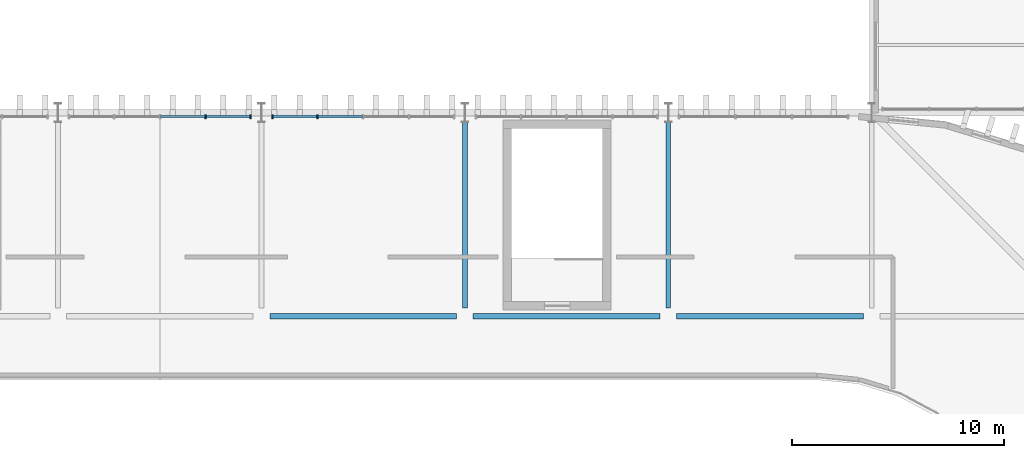
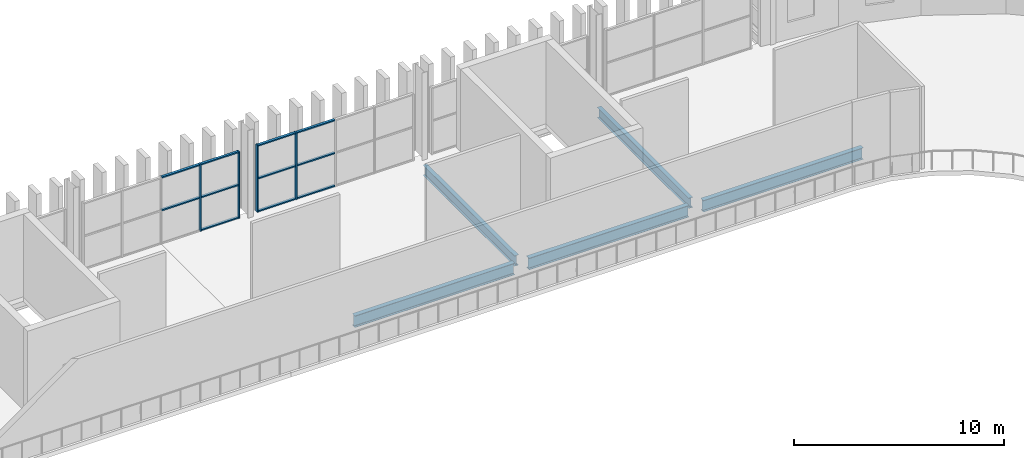
# One storey, part 20 of 45: 15 members, 5 beams, 2 elements without a shape of their own.
"""IFC4 building model written with IfcOpenShell, lengths in metres."""

from ifc_helpers import new_model, si_unit, direction, frame, origin, origin_2d, place, context, subcontext, project, spatial, rectangle, i_section, extrude, material, layer, layer_set, material_profile, profile_set, type_object, element, aggregate, save


model = new_model("IFC4")

# Units and contexts
model_context = context("Model", 3, precision=1e-05, world=origin(), true_north=direction((0.0, 1.0)))
body_context = subcontext(model_context, "Body", "Model", "MODEL_VIEW")
ifc_project = project(units=[si_unit("LENGTHUNIT", "METRE"), si_unit("AREAUNIT", "SQUARE_METRE"), si_unit("VOLUMEUNIT", "CUBIC_METRE"), si_unit("PLANEANGLEUNIT", "RADIAN"), si_unit("MASSUNIT", "GRAM", prefix="KILO")], contexts=[model_context])

# Site, building, storey
site_placement = place(None, origin())
site = spatial("IfcSite", under=ifc_project, at=site_placement, CompositionType="ELEMENT")
building_placement = place(site_placement, origin())
building = spatial("IfcBuilding", under=site, at=building_placement, Name="Caelomonte Colonnade Arena", CompositionType="ELEMENT")
storey_placement = place(building_placement, frame((0.0, 0.0, 23.10009765625)))
storey = spatial("IfcBuildingStorey", under=building, at=storey_placement, Name="L05", CompositionType="ELEMENT", Elevation=23.10009765625)

# Curtain wall, members
ifc_material_1 = material(Name="Bronze anodised aluminium and low-E glazing", Category="aluminium")
ifc_layer = layer(ifc_material_1, 0.179931640625)
ifc_layer_set = layer_set([ifc_layer], Name="Bronze anodised aluminium and low-E glazing")
curtain_wall_type = type_object("IfcCurtainWallType", Name="ENV-CW-CW-L05-96-39", PredefinedType="USERDEFINED", material=ifc_layer_set)
curtain_wall_1_placement = place(storey_placement, origin())
curtain_wall_1 = element("IfcCurtainWall", 1, at=curtain_wall_1_placement, inside=storey, type_object=curtain_wall_type, Name="L05 unitized curtain wall CW-L05-1200-1150", ObjectType="UNITIZED CURTAIN WALL", PredefinedType="USERDEFINED")
ifc_material_2 = material(Name="Bronze anodised aluminium AA6063-T6", Category="aluminium")
ifc_material_profile_1 = material_profile(ifc_material_2, rectangle(XDim=0.070068359375, YDim=0.179931640625, at=origin_2d()), Name="CWM-70X180")
ifc_profile_set_1 = profile_set([ifc_material_profile_1], Name="Bronze anodised aluminium AA6063-T6")
member_type_1 = type_object("IfcMemberType", Name="ENV-CW-MULL1", PredefinedType="MULLION", material=ifc_profile_set_1)
member_1_placement = place(storey_placement, frame((117.838623046875, 115.02001953125, 0.0), z_axis=(0.0, 0.0, 1.0), x_axis=(-1.0, 0.0, 0.0)))
member_1 = element("IfcMember", 2, at=member_1_placement, type_object=member_type_1, Name="CW-L05-96-39 mullion 4", PredefinedType="MULLION", context=body_context, shape_type="SweptSolid", body=[
    extrude(rectangle(XDim=0.070068359375, YDim=0.179931640625, at=origin_2d()), origin(), (0.0, 0.0, 1.0), 3.892822265625),
])
member_2_placement = place(storey_placement, frame((115.712158203125, 115.02001953125, 0.0), z_axis=(0.0, 0.0, 1.0), x_axis=(-1.0, 0.0, 0.0)))
member_2 = element("IfcMember", 3, at=member_2_placement, type_object=member_type_1, Name="CW-L05-96-39 mullion 5", PredefinedType="MULLION", context=body_context, shape_type="SweptSolid", body=[
    extrude(rectangle(XDim=0.070068359375, YDim=0.179931640625, at=origin_2d()), origin(), (0.0, 0.0, 1.0), 3.892822265625),
])

curtain_wall_2_placement = place(storey_placement, origin())
curtain_wall_2 = element("IfcCurtainWall", 4, at=curtain_wall_2_placement, inside=storey, type_object=curtain_wall_type, Name="L05 unitized curtain wall CW-L05-1104-1150", ObjectType="UNITIZED CURTAIN WALL", PredefinedType="USERDEFINED")
member_3_placement = place(storey_placement, frame((114.687744140625, 115.02001953125, 0.0), z_axis=(0.0, 0.0, 1.0), x_axis=(-1.0, 0.0, 0.0)))
member_3 = element("IfcMember", 5, at=member_3_placement, type_object=member_type_1, Name="CW-L05-96-39 mullion 1", PredefinedType="MULLION", context=body_context, shape_type="SweptSolid", body=[
    extrude(rectangle(XDim=0.070068359375, YDim=0.179931640625, at=origin_2d()), origin(), (0.0, 0.0, 1.0), 3.892822265625),
])
member_4_placement = place(storey_placement, frame((112.561279296875, 115.02001953125, 0.0), z_axis=(0.0, 0.0, 1.0), x_axis=(-1.0, 0.0, 0.0)))
member_4 = element("IfcMember", 6, at=member_4_placement, type_object=member_type_1, Name="CW-L05-96-39 mullion 2", PredefinedType="MULLION", context=body_context, shape_type="SweptSolid", body=[
    extrude(rectangle(XDim=0.070068359375, YDim=0.179931640625, at=origin_2d()), origin(), (0.0, 0.0, 1.0), 3.892822265625),
])

# Member
ifc_material_profile_2 = material_profile(ifc_material_2, rectangle(XDim=0.070068359375, YDim=0.139892578125, at=origin_2d()), Name="CWT-70X140")
ifc_profile_set_2 = profile_set([ifc_material_profile_2], Name="Bronze anodised aluminium AA6063-T6")
member_type_2 = type_object("IfcMemberType", Name="ENV-CW-TRAN1", PredefinedType="USERDEFINED", material=ifc_profile_set_2)
member_5_placement = place(storey_placement, frame((119.965087890625, 115.02001953125, 0.034912109375), z_axis=(-1.0, 0.0, 0.0), x_axis=(0.0, 0.0, 1.0)))
member_5 = element("IfcMember", 7, at=member_5_placement, type_object=member_type_2, Name="CW-L05-96-39 transom 3.1", ObjectType="TRANSOM", PredefinedType="USERDEFINED", context=body_context, shape_type="SweptSolid", body=[
    extrude(rectangle(XDim=0.070068359375, YDim=0.139892578125, at=origin_2d()), origin(), (0.0, 0.0, 1.0), 2.091552734375),
])

member_6_placement = place(storey_placement, frame((119.965087890625, 115.02001953125, 1.9462890625), z_axis=(-1.0, 0.0, 0.0), x_axis=(0.0, 0.0, 1.0)))
member_6 = element("IfcMember", 8, at=member_6_placement, type_object=member_type_2, Name="CW-L05-96-39 transom 3.2", ObjectType="TRANSOM", PredefinedType="USERDEFINED", context=body_context, shape_type="SweptSolid", body=[
    extrude(rectangle(XDim=0.070068359375, YDim=0.139892578125, at=origin_2d()), origin(), (0.0, 0.0, 1.0), 2.091552734375),
])

member_7_placement = place(storey_placement, frame((119.965087890625, 115.02001953125, 3.85791015625), z_axis=(-1.0, 0.0, 0.0), x_axis=(0.0, 0.0, 1.0)))
member_7 = element("IfcMember", 9, at=member_7_placement, type_object=member_type_2, Name="CW-L05-96-39 transom 3.3", ObjectType="TRANSOM", PredefinedType="USERDEFINED", context=body_context, shape_type="SweptSolid", body=[
    extrude(rectangle(XDim=0.070068359375, YDim=0.139892578125, at=origin_2d()), origin(), (0.0, 0.0, 1.0), 2.091552734375),
])

member_8_placement = place(storey_placement, frame((117.8037109375, 115.02001953125, 0.034912109375), z_axis=(-1.0, 0.0, 0.0), x_axis=(0.0, 0.0, 1.0)))
member_8 = element("IfcMember", 10, at=member_8_placement, type_object=member_type_2, Name="CW-L05-96-39 transom 4.1", ObjectType="TRANSOM", PredefinedType="USERDEFINED", context=body_context, shape_type="SweptSolid", body=[
    extrude(rectangle(XDim=0.070068359375, YDim=0.139892578125, at=origin_2d()), origin(), (0.0, 0.0, 1.0), 2.056396484375),
])

member_9_placement = place(storey_placement, frame((117.8037109375, 115.02001953125, 1.9462890625), z_axis=(-1.0, 0.0, 0.0), x_axis=(0.0, 0.0, 1.0)))
member_9 = element("IfcMember", 11, at=member_9_placement, type_object=member_type_2, Name="CW-L05-96-39 transom 4.2", ObjectType="TRANSOM", PredefinedType="USERDEFINED", context=body_context, shape_type="SweptSolid", body=[
    extrude(rectangle(XDim=0.070068359375, YDim=0.139892578125, at=origin_2d()), origin(), (0.0, 0.0, 1.0), 2.056396484375),
])

member_10_placement = place(storey_placement, frame((117.8037109375, 115.02001953125, 3.85791015625), z_axis=(-1.0, 0.0, 0.0), x_axis=(0.0, 0.0, 1.0)))
member_10 = element("IfcMember", 12, at=member_10_placement, type_object=member_type_2, Name="CW-L05-96-39 transom 4.3", ObjectType="TRANSOM", PredefinedType="USERDEFINED", context=body_context, shape_type="SweptSolid", body=[
    extrude(rectangle(XDim=0.070068359375, YDim=0.139892578125, at=origin_2d()), origin(), (0.0, 0.0, 1.0), 2.056396484375),
])

aggregate(curtain_wall_1, [member_1, member_2, member_5, member_6, member_7, member_8, member_9, member_10])

member_11_placement = place(storey_placement, frame((114.65283203125, 115.02001953125, 0.034912109375), z_axis=(-1.0, 0.0, 0.0), x_axis=(0.0, 0.0, 1.0)))
member_11 = element("IfcMember", 13, at=member_11_placement, type_object=member_type_2, Name="CW-L05-96-39 transom 1.1", ObjectType="TRANSOM", PredefinedType="USERDEFINED", context=body_context, shape_type="SweptSolid", body=[
    extrude(rectangle(XDim=0.070068359375, YDim=0.139892578125, at=origin_2d()), origin(), (0.0, 0.0, 1.0), 2.056396484375),
])

member_12_placement = place(storey_placement, frame((114.65283203125, 115.02001953125, 1.9462890625), z_axis=(-1.0, 0.0, 0.0), x_axis=(0.0, 0.0, 1.0)))
member_12 = element("IfcMember", 14, at=member_12_placement, type_object=member_type_2, Name="CW-L05-96-39 transom 1.2", ObjectType="TRANSOM", PredefinedType="USERDEFINED", context=body_context, shape_type="SweptSolid", body=[
    extrude(rectangle(XDim=0.070068359375, YDim=0.139892578125, at=origin_2d()), origin(), (0.0, 0.0, 1.0), 2.056396484375),
])

member_13_placement = place(storey_placement, frame((114.65283203125, 115.02001953125, 3.85791015625), z_axis=(-1.0, 0.0, 0.0), x_axis=(0.0, 0.0, 1.0)))
member_13 = element("IfcMember", 15, at=member_13_placement, type_object=member_type_2, Name="CW-L05-96-39 transom 1.3", ObjectType="TRANSOM", PredefinedType="USERDEFINED", context=body_context, shape_type="SweptSolid", body=[
    extrude(rectangle(XDim=0.070068359375, YDim=0.139892578125, at=origin_2d()), origin(), (0.0, 0.0, 1.0), 2.056396484375),
])

member_14_placement = place(storey_placement, frame((112.5263671875, 115.02001953125, 1.9462890625), z_axis=(-1.0, 0.0, 0.0), x_axis=(0.0, 0.0, 1.0)))
member_14 = element("IfcMember", 16, at=member_14_placement, type_object=member_type_2, Name="CW-L05-96-39 transom 2.2", ObjectType="TRANSOM", PredefinedType="USERDEFINED", context=body_context, shape_type="SweptSolid", body=[
    extrude(rectangle(XDim=0.070068359375, YDim=0.139892578125, at=origin_2d()), origin(), (0.0, 0.0, 1.0), 2.09130859375),
])

member_15_placement = place(storey_placement, frame((112.5263671875, 115.02001953125, 3.85791015625), z_axis=(-1.0, 0.0, 0.0), x_axis=(0.0, 0.0, 1.0)))
member_15 = element("IfcMember", 17, at=member_15_placement, type_object=member_type_2, Name="CW-L05-96-39 transom 2.3", ObjectType="TRANSOM", PredefinedType="USERDEFINED", context=body_context, shape_type="SweptSolid", body=[
    extrude(rectangle(XDim=0.070068359375, YDim=0.139892578125, at=origin_2d()), origin(), (0.0, 0.0, 1.0), 2.09130859375),
])

aggregate(curtain_wall_2, [member_3, member_4, member_11, member_12, member_13, member_14, member_15])

# Beams
ifc_material_3 = material(Name="Wide-flange steel ASTM A992 Grade 50", Category="steel")
ifc_material_profile_3 = material_profile(ifc_material_3, i_section(OverallWidth=0.227783203125, OverallDepth=0.60205078125, WebThickness=0.010498046875, FlangeThickness=0.014892578125, FilletRadius=0.0126953125, at=origin_2d()), Name="W24X68")
ifc_profile_set_3 = profile_set([ifc_material_profile_3], Name="Wide-flange steel ASTM A992 Grade 50")
beam_type_1 = type_object("IfcBeamType", Name="STR-BM-GIRD24B", PredefinedType="SPANDREL", material=ifc_profile_set_3)
for number, where, z_axis, x_axis, name in (
    (18, (124.800048828125, 105.991943359375, -0.56103515625), (0.0, 1.0, 0.0), (-1.0, 0.0, 0.0), "L05 girder BMY-L05-1248-1056"),
    (19, (134.39990234375, 105.991943359375, -0.56103515625), (0.0, 1.0, 0.0), (-1.0, 0.0, 0.0), "L05 girder BMY-L05-1344-1056"),
):
    element("IfcBeam", number, at=place(storey_placement, frame(where, z_axis=z_axis, x_axis=x_axis)), inside=storey, type_object=beam_type_1, Name=name, PredefinedType="SPANDREL", context=body_context, shape_type="SweptSolid", body=[
        extrude(i_section(OverallWidth=0.227783203125, OverallDepth=0.60205078125, WebThickness=0.010498046875, FlangeThickness=0.014892578125, FilletRadius=0.0126953125, at=origin_2d()), origin(), (0.0, 0.0, 1.0), 8.75244140625),
    ])
ifc_material_profile_4 = material_profile(ifc_material_3, i_section(OverallWidth=0.2529296875, OverallDepth=0.67822265625, WebThickness=0.01171875, FlangeThickness=0.016357421875, FilletRadius=0.01513671875, at=origin_2d()), Name="W27X84")
ifc_profile_set_4 = profile_set([ifc_material_profile_4], Name="Wide-flange steel ASTM A992 Grade 50")
beam_type_2 = type_object("IfcBeamType", Name="STR-BM-GIRD27B", PredefinedType="BEAM", material=ifc_profile_set_4)
beam_1_placement = place(storey_placement, frame((115.592041015625, 105.60009765625, -0.59912109375), z_axis=(1.0, 0.0, 0.0), x_axis=(0.0, 1.0, 0.0)))
element("IfcBeam", 20, at=beam_1_placement, inside=storey, type_object=beam_type_2, Name="L05 girder BMX-L05-1152-1056", PredefinedType="BEAM", context=body_context, shape_type="SweptSolid", body=[
    extrude(i_section(OverallWidth=0.2529296875, OverallDepth=0.67822265625, WebThickness=0.01171875, FlangeThickness=0.016357421875, FilletRadius=0.01513671875, at=origin_2d()), origin(), (0.0, 0.0, 1.0), 8.81591796875),
])
beam_2_placement = place(storey_placement, frame((125.19189453125, 105.60009765625, -0.59912109375), z_axis=(1.0, 0.0, 0.0), x_axis=(0.0, 1.0, 0.0)))
element("IfcBeam", 21, at=beam_2_placement, inside=storey, type_object=beam_type_2, Name="L05 girder BMX-L05-1248-1056", PredefinedType="BEAM", context=body_context, shape_type="SweptSolid", body=[
    extrude(i_section(OverallWidth=0.2529296875, OverallDepth=0.67822265625, WebThickness=0.01171875, FlangeThickness=0.016357421875, FilletRadius=0.01513671875, at=origin_2d()), origin(), (0.0, 0.0, 1.0), 8.816162109375),
])
beam_3_placement = place(storey_placement, frame((134.7919921875, 105.60009765625, -0.59912109375), z_axis=(1.0, 0.0, 0.0), x_axis=(0.0, 1.0, 0.0)))
element("IfcBeam", 22, at=beam_3_placement, inside=storey, type_object=beam_type_2, Name="L05 girder BMX-L05-1344-1056", PredefinedType="BEAM", context=body_context, shape_type="SweptSolid", body=[
    extrude(i_section(OverallWidth=0.2529296875, OverallDepth=0.67822265625, WebThickness=0.01171875, FlangeThickness=0.016357421875, FilletRadius=0.01513671875, at=origin_2d()), origin(), (0.0, 0.0, 1.0), 8.81591796875),
])

save(model, "model.ifc")
